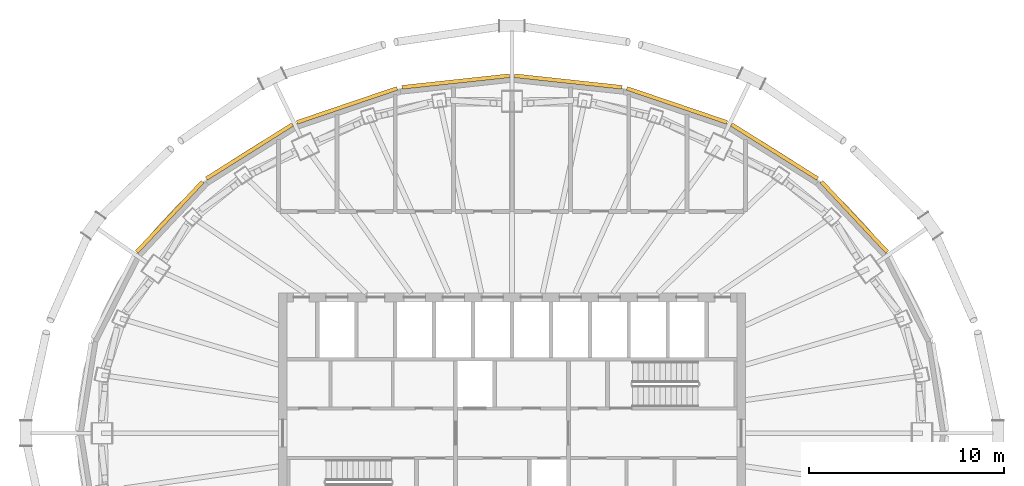
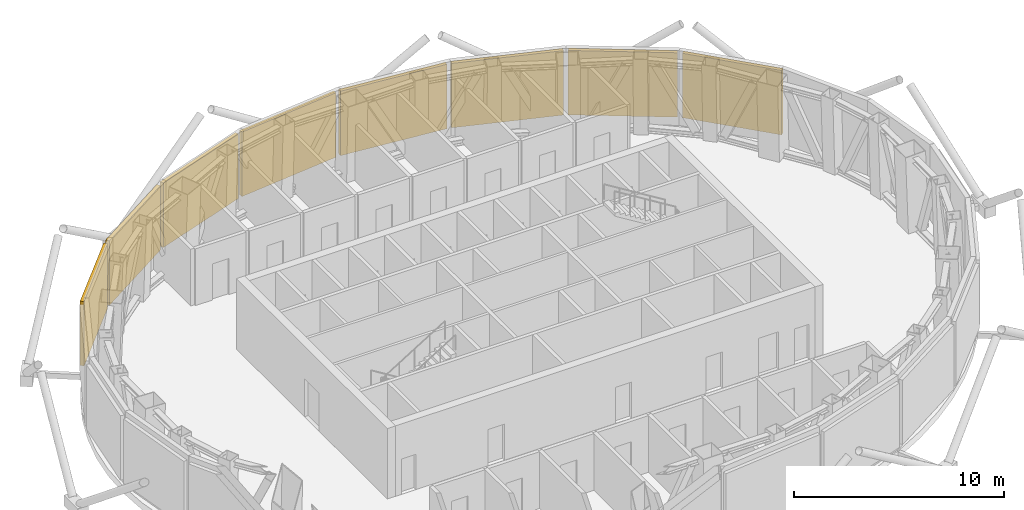
# One storey, part 15 of 15: 8 shading devices.
"""IFC4 building model written with IfcOpenShell, lengths in metres."""

from ifc_helpers import new_model, si_unit, direction, frame, origin, origin_2d, place, context, subcontext, project, spatial, rectangle, extrude, material, layer, layer_set, type_object, element, save


model = new_model("IFC4")

# Units and contexts
model_context = context("Model", 3, precision=1e-05, world=origin(), true_north=direction((0.0, 1.0)))
body_context = subcontext(model_context, "Body", "Model", "MODEL_VIEW")
ifc_project = project(units=[si_unit("LENGTHUNIT", "METRE"), si_unit("AREAUNIT", "SQUARE_METRE"), si_unit("VOLUMEUNIT", "CUBIC_METRE"), si_unit("PLANEANGLEUNIT", "RADIAN"), si_unit("MASSUNIT", "GRAM", prefix="KILO")], contexts=[model_context])

# Site, building, storey
site_placement = place(None, origin())
site = spatial("IfcSite", under=ifc_project, at=site_placement, CompositionType="ELEMENT")
building_placement = place(site_placement, origin())
building = spatial("IfcBuilding", under=site, at=building_placement, Name="Siaravel Broadcast Tower", CompositionType="ELEMENT")
storey_placement = place(building_placement, frame((0.0, 0.0, 212.60009765625)))
storey = spatial("IfcBuildingStorey", under=building, at=storey_placement, Name="L51", CompositionType="ELEMENT", Elevation=212.60009765625)

# Shading devices
ifc_material = material(Name="Bronze anodised aluminium", Category="aluminium")
ifc_layer = layer(ifc_material, 0.199951171875)
ifc_layer_set = layer_set([ifc_layer], Name="Bronze anodised aluminium")
shading_device_type = type_object("IfcShadingDeviceType", Name="Plant louvre bank", PredefinedType="USERDEFINED", material=ifc_layer_set)
shading_device_1_placement = place(storey_placement, frame((17.5869140625, 11.114990234375, 0.2998046875), z_axis=(0.0, 0.0, 1.0), x_axis=(-0.683655992, 0.729804415, 0.0)))
element("IfcShadingDevice", 1, at=shading_device_1_placement, inside=storey, type_object=shading_device_type, Name="L51 plant louvre bank 03", ObjectType="LOUVRE", PredefinedType="USERDEFINED", context=body_context, shape_type="SweptSolid", body=[
    extrude(rectangle(XDim=4.9521484375, YDim=0.199951171875, at=origin_2d()), origin(), (0.0, 0.0, 1.0), 3.75),
])
shading_device_2_placement = place(storey_placement, frame((13.487548828125, 14.473388671875, 0.2998046875), z_axis=(0.0, 0.0, 1.0), x_axis=(-0.846650436, 0.532149452, 0.0)))
element("IfcShadingDevice", 2, at=shading_device_2_placement, inside=storey, type_object=shading_device_type, Name="L51 plant louvre bank 04", ObjectType="LOUVRE", PredefinedType="USERDEFINED", context=body_context, shape_type="SweptSolid", body=[
    extrude(rectangle(XDim=5.2197265625, YDim=0.199951171875, at=origin_2d()), origin(), (0.0, 0.0, 1.0), 3.75),
])
shading_device_3_placement = place(storey_placement, frame((8.47509765625, 16.843994140625, 0.2998046875), z_axis=(0.0, 0.0, 1.0), x_axis=(-0.946977245, 0.321300635, 0.0)))
element("IfcShadingDevice", 3, at=shading_device_3_placement, inside=storey, type_object=shading_device_type, Name="L51 plant louvre bank 05", ObjectType="LOUVRE", PredefinedType="USERDEFINED", context=body_context, shape_type="SweptSolid", body=[
    extrude(rectangle(XDim=5.44140625, YDim=0.199951171875, at=origin_2d()), origin(), (0.0, 0.0, 1.0), 3.75),
])
for number, where, z_axis, x_axis, name in (
    (4, (2.889892578125, 18.070068359375, 0.2998046875), (0.0, 0.0, 1.0), (-0.994235667, 0.107216783, 0.0), "L51 plant louvre bank 06"),
    (5, (-2.889892578125, 18.070068359375, 0.2998046875), (0.0, 0.0, 1.0), (-0.994235667, -0.107216783, 0.0), "L51 plant louvre bank 07"),
):
    element("IfcShadingDevice", number, at=place(storey_placement, frame(where, z_axis=z_axis, x_axis=x_axis)), inside=storey, type_object=shading_device_type, Name=name, ObjectType="LOUVRE", PredefinedType="USERDEFINED", context=body_context, shape_type="SweptSolid", body=[
        extrude(rectangle(XDim=5.5654296875, YDim=0.199951171875, at=origin_2d()), origin(), (0.0, 0.0, 1.0), 3.75),
    ])
shading_device_4_placement = place(storey_placement, frame((-8.47509765625, 16.843994140625, 0.2998046875), z_axis=(0.0, 0.0, 1.0), x_axis=(-0.946977245, -0.321300635, 0.0)))
element("IfcShadingDevice", 6, at=shading_device_4_placement, inside=storey, type_object=shading_device_type, Name="L51 plant louvre bank 08", ObjectType="LOUVRE", PredefinedType="USERDEFINED", context=body_context, shape_type="SweptSolid", body=[
    extrude(rectangle(XDim=5.44140625, YDim=0.199951171875, at=origin_2d()), origin(), (0.0, 0.0, 1.0), 3.75),
])
shading_device_5_placement = place(storey_placement, frame((-13.487548828125, 14.473388671875, 0.2998046875), z_axis=(0.0, 0.0, 1.0), x_axis=(-0.846650436, -0.532149452, 0.0)))
element("IfcShadingDevice", 7, at=shading_device_5_placement, inside=storey, type_object=shading_device_type, Name="L51 plant louvre bank 09", ObjectType="LOUVRE", PredefinedType="USERDEFINED", context=body_context, shape_type="SweptSolid", body=[
    extrude(rectangle(XDim=5.2197265625, YDim=0.199951171875, at=origin_2d()), origin(), (0.0, 0.0, 1.0), 3.75),
])
shading_device_6_placement = place(storey_placement, frame((-17.5869140625, 11.114990234375, 0.2998046875), z_axis=(0.0, 0.0, 1.0), x_axis=(-0.683655992, -0.729804415, 0.0)))
element("IfcShadingDevice", 8, at=shading_device_6_placement, inside=storey, type_object=shading_device_type, Name="L51 plant louvre bank 10", ObjectType="LOUVRE", PredefinedType="USERDEFINED", context=body_context, shape_type="SweptSolid", body=[
    extrude(rectangle(XDim=4.9521484375, YDim=0.199951171875, at=origin_2d()), origin(), (0.0, 0.0, 1.0), 3.75),
])

save(model, "model.ifc")
